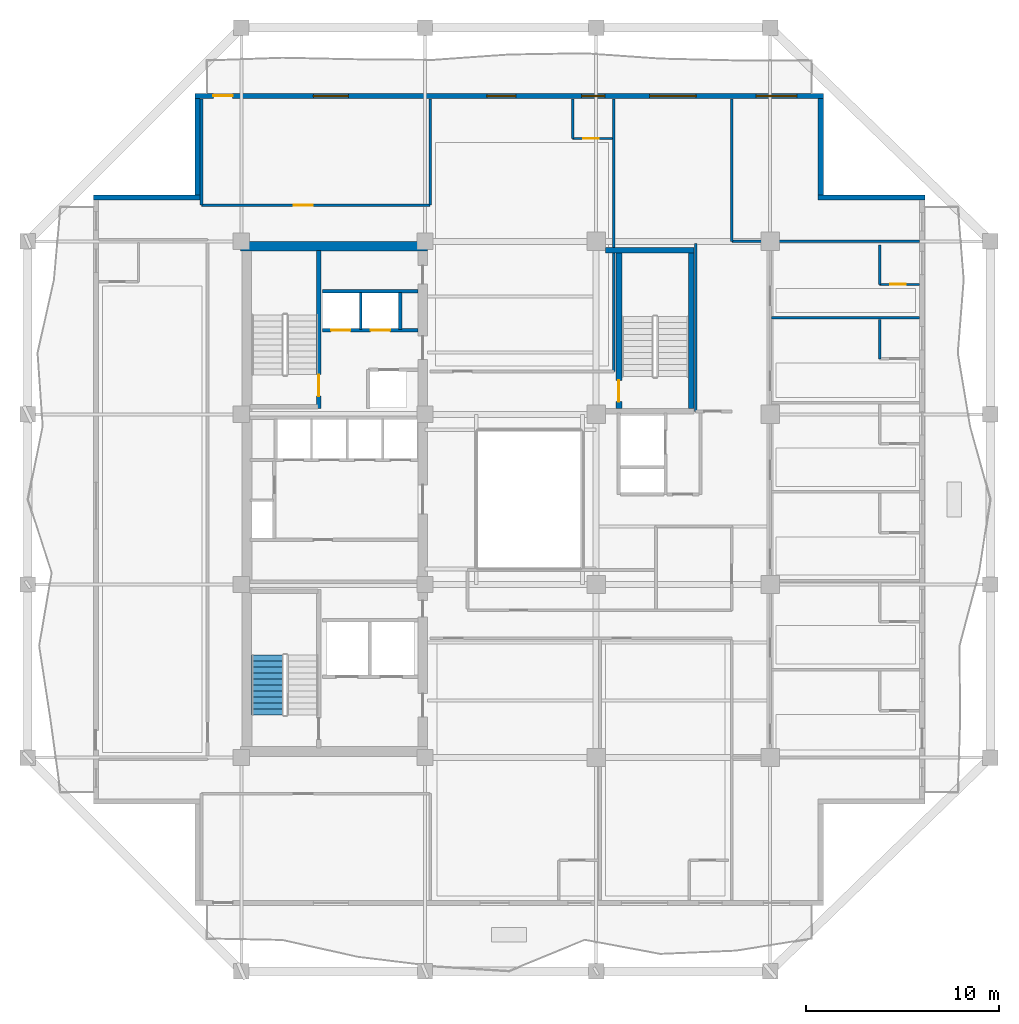
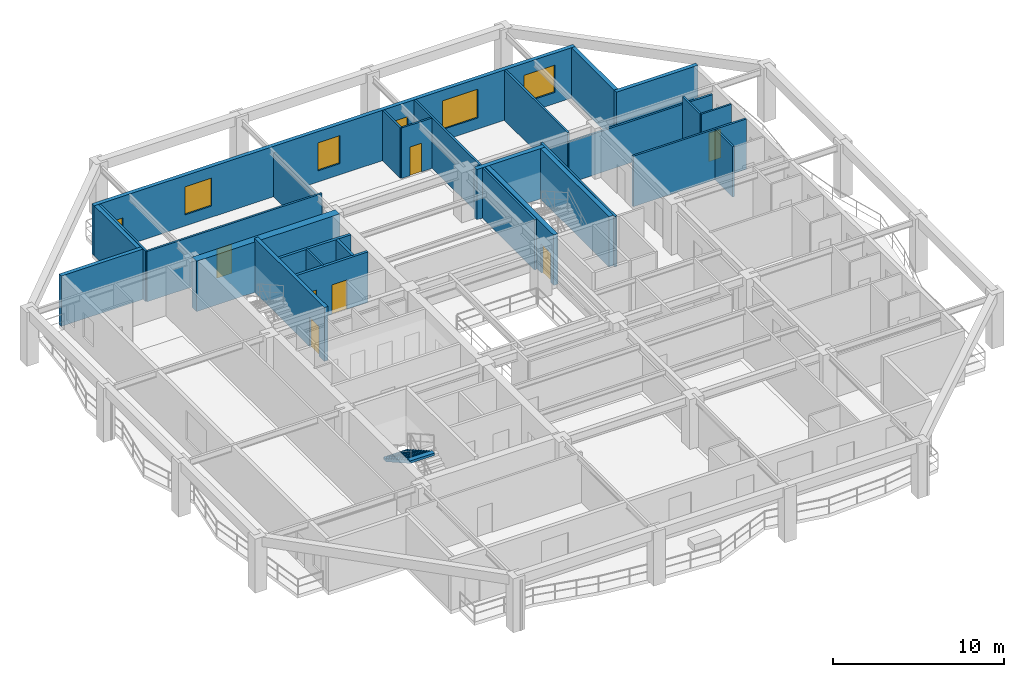
# One storey, part 6 of 13: 27 walls, 8 doors, 5 windows, 1 stair flight, 13 openings, 1 element without a shape of its own.
"""IFC4 building model written with IfcOpenShell, lengths in metres."""

from ifc_helpers import new_model, si_unit, direction, frame, frame_2d, origin, place, context, subcontext, project, spatial, polyline, rectangle, outline, extrude, material, layer, layer_set, type_object, element, fill, aggregate, save


model = new_model("IFC4")

# Units and contexts
model_context = context("Model", 3, precision=1e-05, world=origin(), true_north=direction((0.0, 1.0)))
body_context = subcontext(model_context, "Body", "Model", "MODEL_VIEW")
ifc_project = project(units=[si_unit("LENGTHUNIT", "METRE"), si_unit("AREAUNIT", "SQUARE_METRE"), si_unit("VOLUMEUNIT", "CUBIC_METRE"), si_unit("PLANEANGLEUNIT", "RADIAN"), si_unit("MASSUNIT", "GRAM", prefix="KILO")], contexts=[model_context])

# Site, building, storey
site_placement = place(None, origin())
site = spatial("IfcSite", under=ifc_project, at=site_placement, CompositionType="ELEMENT")
building_placement = place(site_placement, origin())
building = spatial("IfcBuilding", under=site, at=building_placement, Name="Kundavana Baori Tower", CompositionType="ELEMENT")
storey_placement = place(building_placement, frame((0.0, 0.0, 184.85009765625)))
storey = spatial("IfcBuildingStorey", under=building, at=storey_placement, Name="L45", CompositionType="ELEMENT", Elevation=184.85009765625)

# Wall, opening, door
ifc_material_1 = material(Name="Concrete C50/60", Category="concrete")
ifc_layer_1 = layer(ifc_material_1, 0.39990234375, Name="WL-CORE-400")
ifc_layer_set_1 = layer_set([ifc_layer_1], Name="Concrete C50/60")
wall_type_1 = type_object("IfcWallType", Name="WL-CORE-400", PredefinedType="SHEAR", material=ifc_layer_set_1)
wall_1_placement = place(storey_placement, frame((19.4599609375, 33.300048828125, 0.0), z_axis=(0.0, 0.0, 1.0), x_axis=(0.0, 1.0, 0.0)))
wall_1 = element("IfcWall", 1, at=wall_1_placement, inside=storey, type_object=wall_type_1, Name="WL-L45-ST2-E", PredefinedType="SHEAR", context=body_context, shape_type="SweptSolid", body=[
    extrude(rectangle(XDim=8.179931640625, YDim=0.239990234375, at=frame_2d((4.08984375, 0.0))), origin(), (0.0, 0.0, 1.0), 3.849853515625),
])
opening_1_placement = place(wall_1_placement, frame((0.64990234375, 0.0, 0.0)))
opening_1 = element("IfcOpeningElement", 2, at=opening_1_placement, cuts=wall_1, Name="Opening FD-110", PredefinedType="OPENING", context=body_context, shape_type="SweptSolid", body=[
    extrude(rectangle(XDim=1.10009765625, YDim=2.10009765625, at=frame_2d((0.550048828125, 1.050048828125))), frame((0.0, 0.1298828125, 0.0), z_axis=(0.0, -1.0, 0.0), x_axis=(1.0, 0.0, 0.0)), (0.0, 0.0, 1.0), 0.260009765625),
])
ifc_material_2 = material(Name="Galvanised Steel Fire-Rated Door Leaf", Category="steel")
door_type_1 = type_object("IfcDoorType", Name="DR-FD120-1100", OperationType="NOTDEFINED", PredefinedType="DOOR", material=ifc_material_2)
door_1_placement = place(opening_1_placement, origin())
door_1 = element("IfcDoor", 3, at=door_1_placement, inside=storey, type_object=door_type_1, Name="DR-L45-ST2", OperationType="SINGLE_SWING_RIGHT", OverallHeight=2.10009765625, OverallWidth=1.10009765625, PredefinedType="DOOR", context=body_context, shape_type="SweptSolid", body=[
    extrude(rectangle(XDim=1.10009765625, YDim=2.10009765625, at=frame_2d((0.550048828125, 1.050048828125))), frame((0.0, 0.02490234375, 0.0), z_axis=(0.0, -1.0, 0.0), x_axis=(1.0, 0.0, 0.0)), (0.0, 0.0, 1.0), 0.050048828125),
])
fill(opening_1, door_1)

# Walls
ifc_material_3 = material(Name="Concrete C50/60", Category="concrete")
ifc_layer_2 = layer(ifc_material_3, 0.5, Name="WL-CORE-500")
ifc_layer_set_2 = layer_set([ifc_layer_2], Name="Concrete C50/60")
wall_type_2 = type_object("IfcWallType", Name="WL-CORE-500", PredefinedType="SHEAR", material=ifc_layer_set_2)
wall_2_placement = place(storey_placement, frame((15.39990234375, 41.68994140625, 0.0), z_axis=(0.0, 0.0, 1.0), x_axis=(1.0, 0.0, 0.0)))
element("IfcWall", 4, at=wall_2_placement, inside=storey, type_object=wall_type_2, Name="L45 Offset Core North Shear Wall", PredefinedType="SHEAR", context=body_context, shape_type="SweptSolid", body=[
    extrude(rectangle(XDim=9.68017578125, YDim=0.5, at=frame_2d((4.840087890625, 0.0))), origin(), (0.0, 0.0, 1.0), 3.599853515625),
])
ifc_material_4 = material(Name="Kiln-Fired Terracotta Brick-Slip Masonry on Concrete C40/50", Category="masonry")
ifc_layer_3 = layer(ifc_material_4, 0.260009765625, Name="WL-EXT-BRK-260")
ifc_layer_set_3 = layer_set([ifc_layer_3], Name="Kiln-Fired Terracotta Brick-Slip Masonry on Concrete C40/50")
wall_type_3 = type_object("IfcWallType", Name="WL-EXT-BRK-260", PredefinedType="SOLIDWALL", material=ifc_layer_set_3)
wall_3_placement = place(storey_placement, frame((50.800048828125, 44.219970703125, 0.0), z_axis=(0.0, 0.0, 1.0), x_axis=(-1.0, 0.0, 0.0)))
element("IfcWall", 5, at=wall_3_placement, inside=storey, type_object=wall_type_3, Name="L45 Exterior Insulated Facade Wall 05", PredefinedType="SOLIDWALL", context=body_context, shape_type="SweptSolid", body=[
    extrude(rectangle(XDim=5.510009765625, YDim=0.260009765625, at=frame_2d((2.7548828125, 0.0))), origin(), (0.0, 0.0, 1.0), 3.599853515625),
])
wall_4_placement = place(storey_placement, frame((45.419921875, 44.35009765625, 0.0), z_axis=(0.0, 0.0, 1.0), x_axis=(0.0, 1.0, 0.0)))
element("IfcWall", 6, at=wall_4_placement, inside=storey, type_object=wall_type_3, Name="L45 Exterior Insulated Facade Wall 06", PredefinedType="SOLIDWALL", context=body_context, shape_type="SweptSolid", body=[
    extrude(rectangle(XDim=4.989990234375, YDim=0.260009765625, at=frame_2d((2.4951171875, 0.0))), origin(), (0.0, 0.0, 1.0), 3.599853515625),
])

# Wall, openings, door, windows
wall_5_placement = place(storey_placement, frame((45.550048828125, 49.469970703125, 0.0), z_axis=(0.0, 0.0, 1.0), x_axis=(-1.0, 0.0, 0.0)))
wall_5 = element("IfcWall", 7, at=wall_5_placement, inside=storey, type_object=wall_type_3, Name="L45 Exterior Insulated Facade Wall 07", PredefinedType="SOLIDWALL", context=body_context, shape_type="SweptSolid", body=[
    extrude(rectangle(XDim=32.5, YDim=0.260009765625, at=frame_2d((16.25, 0.0))), origin(), (0.0, 0.0, 1.0), 3.599853515625),
])
opening_2_placement = place(wall_5_placement, frame((30.550048828125, 0.0, 0.0)))
opening_2 = element("IfcOpeningElement", 8, at=opening_2_placement, cuts=wall_5, Name="Opening BD-1", PredefinedType="OPENING", context=body_context, shape_type="SweptSolid", body=[
    extrude(rectangle(XDim=1.0, YDim=2.050048828125, at=frame_2d((0.5, 1.02490234375))), frame((0.0, 0.14013671875, 0.0), z_axis=(0.0, -1.0, 0.0), x_axis=(1.0, 0.0, 0.0)), (0.0, 0.0, 1.0), 0.280029296875),
])
opening_3_placement = place(wall_5_placement, frame((24.570068359375, 0.0, 0.800048828125)))
opening_3 = element("IfcOpeningElement", 9, at=opening_3_placement, cuts=wall_5, Name="Opening W-01", PredefinedType="OPENING", context=body_context, shape_type="SweptSolid", body=[
    extrude(rectangle(XDim=1.800048828125, YDim=2.0, at=frame_2d((0.89990234375, 1.0))), frame((0.0, 0.14013671875, 0.0), z_axis=(0.0, -1.0, 0.0), x_axis=(1.0, 0.0, 0.0)), (0.0, 0.0, 1.0), 0.280029296875),
])
opening_4_placement = place(wall_5_placement, frame((15.89501953125, 0.0, 0.800048828125)))
opening_4 = element("IfcOpeningElement", 10, at=opening_4_placement, cuts=wall_5, Name="Opening W-02", PredefinedType="OPENING", context=body_context, shape_type="SweptSolid", body=[
    extrude(rectangle(XDim=1.5, YDim=2.0, at=frame_2d((0.75, 1.0))), frame((0.0, 0.14013671875, 0.0), z_axis=(0.0, -1.0, 0.0), x_axis=(1.0, 0.0, 0.0)), (0.0, 0.0, 1.0), 0.280029296875),
])
opening_5_placement = place(wall_5_placement, frame((11.294921875, 0.0, 0.800048828125)))
opening_5 = element("IfcOpeningElement", 11, at=opening_5_placement, cuts=wall_5, Name="Opening W-03", PredefinedType="OPENING", context=body_context, shape_type="SweptSolid", body=[
    extrude(rectangle(XDim=1.199951171875, YDim=1.75, at=frame_2d((0.60009765625, 0.875))), frame((0.0, 0.14013671875, 0.0), z_axis=(0.0, -1.0, 0.0), x_axis=(1.0, 0.0, 0.0)), (0.0, 0.0, 1.0), 0.280029296875),
])
opening_6_placement = place(wall_5_placement, frame((6.580078125, 0.0, 0.800048828125)))
opening_6 = element("IfcOpeningElement", 12, at=opening_6_placement, cuts=wall_5, Name="Opening W-04", PredefinedType="OPENING", context=body_context, shape_type="SweptSolid", body=[
    extrude(rectangle(XDim=2.39990234375, YDim=2.050048828125, at=frame_2d((1.199951171875, 1.02490234375))), frame((0.0, 0.14013671875, 0.0), z_axis=(0.0, -1.0, 0.0), x_axis=(1.0, 0.0, 0.0)), (0.0, 0.0, 1.0), 0.280029296875),
])
opening_7_placement = place(wall_5_placement, frame((1.3701171875, 0.0, 0.800048828125)))
opening_7 = element("IfcOpeningElement", 13, at=opening_7_placement, cuts=wall_5, Name="Opening W-05", PredefinedType="OPENING", context=body_context, shape_type="SweptSolid", body=[
    extrude(rectangle(XDim=2.10009765625, YDim=1.949951171875, at=frame_2d((1.050048828125, 0.97509765625))), frame((0.0, 0.14013671875, 0.0), z_axis=(0.0, -1.0, 0.0), x_axis=(1.0, 0.0, 0.0)), (0.0, 0.0, 1.0), 0.280029296875),
])
ifc_material_5 = material(Name="Architectural Patinated Bronze Metalwork")
door_type_2 = type_object("IfcDoorType", Name="DR-EXT-LOG-1000", OperationType="NOTDEFINED", PredefinedType="DOOR", material=ifc_material_5)
door_2_placement = place(opening_2_placement, frame((1.0, 0.0, 0.0), z_axis=(0.0, 0.0, 1.0), x_axis=(-1.0, 0.0, 0.0)))
door_2 = element("IfcDoor", 14, at=door_2_placement, inside=storey, type_object=door_type_2, Name="L45 Loggia Balcony Access Door N", OperationType="SINGLE_SWING_LEFT", OverallHeight=2.050048828125, OverallWidth=1.0, PredefinedType="DOOR", context=body_context, shape_type="SweptSolid", body=[
    extrude(rectangle(XDim=1.0, YDim=2.050048828125, at=frame_2d((0.5, 1.02490234375))), frame((0.0, 0.02490234375, 0.0), z_axis=(0.0, -1.0, 0.0), x_axis=(1.0, 0.0, 0.0)), (0.0, 0.0, 1.0), 0.050048828125),
])
fill(opening_2, door_2)
ifc_material_6 = material(Name="Double-Glazed Solar-Control Low-E Insulated Glass", Category="glass")
window_type_1 = type_object("IfcWindowType", Name="WIN-LOG-1200x1750", PartitioningType="SINGLE_PANEL", PredefinedType="WINDOW", material=ifc_material_6)
window_1_placement = place(opening_5_placement, origin())
window_1 = element("IfcWindow", 15, at=window_1_placement, inside=storey, type_object=window_type_1, Name="L45 Recessed Loggia Window N-3", OverallHeight=1.75, OverallWidth=1.199951171875, PartitioningType="SINGLE_PANEL", PredefinedType="WINDOW", context=body_context, shape_type="SweptSolid", body=[
    extrude(rectangle(XDim=1.199951171875, YDim=1.75, at=frame_2d((0.60009765625, 0.875))), frame((0.0, 0.030029296875, 0.0), z_axis=(0.0, -1.0, 0.0), x_axis=(1.0, 0.0, 0.0)), (0.0, 0.0, 1.0), 0.06005859375),
])
fill(opening_5, window_1)
ifc_material_7 = material(Name="Double-Glazed Solar-Control Low-E Insulated Glass", Category="glass")
window_type_2 = type_object("IfcWindowType", Name="WIN-LOG-1500x2000", PartitioningType="SINGLE_PANEL", PredefinedType="WINDOW", material=ifc_material_7)
window_2_placement = place(opening_4_placement, origin())
window_2 = element("IfcWindow", 16, at=window_2_placement, inside=storey, type_object=window_type_2, Name="L45 Recessed Loggia Window N-2", OverallHeight=2.0, OverallWidth=1.5, PartitioningType="SINGLE_PANEL", PredefinedType="WINDOW", context=body_context, shape_type="SweptSolid", body=[
    extrude(rectangle(XDim=1.5, YDim=2.0, at=frame_2d((0.75, 1.0))), frame((0.0, 0.030029296875, 0.0), z_axis=(0.0, -1.0, 0.0), x_axis=(1.0, 0.0, 0.0)), (0.0, 0.0, 1.0), 0.06005859375),
])
fill(opening_4, window_2)
ifc_material_8 = material(Name="Double-Glazed Solar-Control Low-E Insulated Glass", Category="glass")
window_type_3 = type_object("IfcWindowType", Name="WIN-LOG-1800x2000", PartitioningType="SINGLE_PANEL", PredefinedType="WINDOW", material=ifc_material_8)
window_3_placement = place(opening_3_placement, origin())
window_3 = element("IfcWindow", 17, at=window_3_placement, inside=storey, type_object=window_type_3, Name="L45 Recessed Loggia Window N-1", OverallHeight=2.0, OverallWidth=1.800048828125, PartitioningType="SINGLE_PANEL", PredefinedType="WINDOW", context=body_context, shape_type="SweptSolid", body=[
    extrude(rectangle(XDim=1.800048828125, YDim=2.0, at=frame_2d((0.89990234375, 1.0))), frame((0.0, 0.030029296875, 0.0), z_axis=(0.0, -1.0, 0.0), x_axis=(1.0, 0.0, 0.0)), (0.0, 0.0, 1.0), 0.06005859375),
])
fill(opening_3, window_3)
ifc_material_9 = material(Name="Double-Glazed Solar-Control Low-E Insulated Glass", Category="glass")
window_type_4 = type_object("IfcWindowType", Name="WIN-LOG-2100x1950", PartitioningType="SINGLE_PANEL", PredefinedType="WINDOW", material=ifc_material_9)
window_4_placement = place(opening_7_placement, origin())
window_4 = element("IfcWindow", 18, at=window_4_placement, inside=storey, type_object=window_type_4, Name="L45 Recessed Loggia Window N-5", OverallHeight=1.949951171875, OverallWidth=2.10009765625, PartitioningType="SINGLE_PANEL", PredefinedType="WINDOW", context=body_context, shape_type="SweptSolid", body=[
    extrude(rectangle(XDim=2.10009765625, YDim=1.949951171875, at=frame_2d((1.050048828125, 0.97509765625))), frame((0.0, 0.030029296875, 0.0), z_axis=(0.0, -1.0, 0.0), x_axis=(1.0, 0.0, 0.0)), (0.0, 0.0, 1.0), 0.06005859375),
])
fill(opening_7, window_4)
ifc_material_10 = material(Name="Double-Glazed Solar-Control Low-E Insulated Glass", Category="glass")
window_type_5 = type_object("IfcWindowType", Name="WIN-LOG-2400x2050", PartitioningType="SINGLE_PANEL", PredefinedType="WINDOW", material=ifc_material_10)
window_5_placement = place(opening_6_placement, origin())
window_5 = element("IfcWindow", 19, at=window_5_placement, inside=storey, type_object=window_type_5, Name="L45 Recessed Loggia Window N-4", OverallHeight=2.050048828125, OverallWidth=2.39990234375, PartitioningType="SINGLE_PANEL", PredefinedType="WINDOW", context=body_context, shape_type="SweptSolid", body=[
    extrude(rectangle(XDim=2.39990234375, YDim=2.050048828125, at=frame_2d((1.199951171875, 1.02490234375))), frame((0.0, 0.030029296875, 0.0), z_axis=(0.0, -1.0, 0.0), x_axis=(1.0, 0.0, 0.0)), (0.0, 0.0, 1.0), 0.06005859375),
])
fill(opening_6, window_5)

# Walls
wall_6_placement = place(storey_placement, frame((13.179931640625, 49.340087890625, 0.0), z_axis=(0.0, 0.0, 1.0), x_axis=(0.0, -1.0, 0.0)))
element("IfcWall", 20, at=wall_6_placement, inside=storey, type_object=wall_type_3, Name="L45 Exterior Insulated Facade Wall 08", PredefinedType="SOLIDWALL", context=body_context, shape_type="SweptSolid", body=[
    extrude(rectangle(XDim=4.989990234375, YDim=0.260009765625, at=frame_2d((2.4951171875, 0.0))), origin(), (0.0, 0.0, 1.0), 3.599853515625),
])
wall_7_placement = place(storey_placement, frame((13.31005859375, 44.219970703125, 0.0), z_axis=(0.0, 0.0, 1.0), x_axis=(-1.0, 0.0, 0.0)))
element("IfcWall", 21, at=wall_7_placement, inside=storey, type_object=wall_type_3, Name="L45 Exterior Insulated Facade Wall 09", PredefinedType="SOLIDWALL", context=body_context, shape_type="SweptSolid", body=[
    extrude(rectangle(XDim=5.510009765625, YDim=0.260009765625, at=frame_2d((2.7548828125, 0.0))), origin(), (0.0, 0.0, 1.0), 3.599853515625),
])
ifc_material_11 = material(Name="Acoustic Gypsum Plasterboard on Galvanised Steel Studs", Category="steel")
ifc_layer_4 = layer(ifc_material_11, 0.1201171875, Name="WL-PART-120")
ifc_layer_set_4 = layer_set([ifc_layer_4], Name="Acoustic Gypsum Plasterboard on Galvanised Steel Studs")
wall_type_4 = type_object("IfcWallType", Name="WL-PART-120", PredefinedType="PARTITIONING", material=ifc_layer_set_4)
wall_8_placement = place(storey_placement, frame((21.6201171875, 37.39990234375, 0.0), z_axis=(0.0, 0.0, 1.0), x_axis=(0.0, 1.0, 0.0)))
element("IfcWall", 22, at=wall_8_placement, inside=storey, type_object=wall_type_4, Name="WL-L45-HR-DIV1", PredefinedType="PARTITIONING", context=body_context, shape_type="SweptSolid", body=[
    extrude(rectangle(XDim=1.900146484375, YDim=0.1201171875, at=frame_2d((0.9501953125, 0.0))), origin(), (0.0, 0.0, 1.0), 3.599853515625),
])
ifc_material_12 = material(Name="Acoustic Gypsum Plasterboard on Galvanised Steel Studs", Category="steel")
ifc_layer_5 = layer(ifc_material_12, 0.135009765625, Name="WL-PART-135")
ifc_layer_set_5 = layer_set([ifc_layer_5], Name="Acoustic Gypsum Plasterboard on Galvanised Steel Studs")
wall_type_5 = type_object("IfcWallType", Name="WL-PART-135", PredefinedType="PARTITIONING", material=ifc_layer_set_5)
wall_9_placement = place(storey_placement, frame((40.820068359375, 41.949951171875, 0.0), z_axis=(0.0, 0.0, 1.0), x_axis=(1.0, 0.0, 0.0)))
element("IfcWall", 23, at=wall_9_placement, inside=storey, type_object=wall_type_5, Name="WL-L45-HEN", PredefinedType="PARTITIONING", context=body_context, shape_type="SweptSolid", body=[
    extrude(rectangle(XDim=9.699951171875, YDim=0.135009765625, at=frame_2d((4.85009765625, 0.0))), origin(), (0.0, 0.0, 1.0), 2.949951171875),
])

# Wall, opening, door
wall_10_placement = place(storey_placement, frame((13.389892578125, 43.820068359375, 0.0), z_axis=(0.0, 0.0, 1.0), x_axis=(1.0, 0.0, 0.0)))
wall_10 = element("IfcWall", 24, at=wall_10_placement, inside=storey, type_object=wall_type_5, Name="WL-L45-HNC", PredefinedType="PARTITIONING", context=body_context, shape_type="SweptSolid", body=[
    extrude(rectangle(XDim=11.830078125, YDim=0.135009765625, at=frame_2d((5.9150390625, 0.0))), origin(), (0.0, 0.0, 1.0), 3.599853515625),
])
opening_8_placement = place(wall_10_placement, frame((4.760009765625, 0.0, 0.0)))
opening_8 = element("IfcOpeningElement", 25, at=opening_8_placement, cuts=wall_10, Name="Opening ID-100", PredefinedType="OPENING", context=body_context, shape_type="SweptSolid", body=[
    extrude(rectangle(XDim=1.0, YDim=2.080078125, at=frame_2d((0.5, 1.0400390625))), frame((0.0, 0.07763671875, 0.0), z_axis=(0.0, -1.0, 0.0), x_axis=(1.0, 0.0, 0.0)), (0.0, 0.0, 1.0), 0.155029296875),
])
ifc_material_13 = material(Name="Engineered Teak Solid-Core Timber Veneer", Category="wood")
door_type_3 = type_object("IfcDoorType", Name="DR-INT-1000", OperationType="NOTDEFINED", PredefinedType="DOOR", material=ifc_material_13)
door_3_placement = place(opening_8_placement, origin())
door_3 = element("IfcDoor", 26, at=door_3_placement, inside=storey, type_object=door_type_3, Name="DR-L45-HMNW", OperationType="SINGLE_SWING_RIGHT", OverallHeight=2.080078125, OverallWidth=1.0, PredefinedType="DOOR", context=body_context, shape_type="SweptSolid", body=[
    extrude(rectangle(XDim=1.0, YDim=2.080078125, at=frame_2d((0.5, 1.0400390625))), frame((0.0, 0.02490234375, 0.0), z_axis=(0.0, -1.0, 0.0), x_axis=(1.0, 0.0, 0.0)), (0.0, 0.0, 1.0), 0.050048828125),
])
fill(opening_8, door_3)

# Walls
wall_11_placement = place(storey_placement, frame((13.389892578125, 43.820068359375, 0.0), z_axis=(0.0, 0.0, 1.0), x_axis=(0.0, 1.0, 0.0)))
element("IfcWall", 27, at=wall_11_placement, inside=storey, type_object=wall_type_5, Name="WL-L45-HNCW", PredefinedType="PARTITIONING", context=body_context, shape_type="SweptSolid", body=[
    extrude(rectangle(XDim=5.5, YDim=0.135009765625, at=frame_2d((2.75, 0.0))), origin(), (0.0, 0.0, 1.0), 3.599853515625),
])
wall_12_placement = place(storey_placement, frame((25.219970703125, 43.820068359375, 0.0), z_axis=(0.0, 0.0, 1.0), x_axis=(0.0, 1.0, 0.0)))
element("IfcWall", 28, at=wall_12_placement, inside=storey, type_object=wall_type_5, Name="WL-L45-HNCE", PredefinedType="PARTITIONING", context=body_context, shape_type="SweptSolid", body=[
    extrude(rectangle(XDim=5.5, YDim=0.135009765625, at=frame_2d((2.75, 0.0))), origin(), (0.0, 0.0, 1.0), 3.14990234375),
])
wall_13_placement = place(storey_placement, frame((42.8798828125, 38.0, 0.0), z_axis=(0.0, 0.0, 1.0), x_axis=(1.0, 0.0, 0.0)))
element("IfcWall", 29, at=wall_13_placement, inside=storey, type_object=wall_type_5, Name="WL-L45-HED5", PredefinedType="PARTITIONING", context=body_context, shape_type="SweptSolid", body=[
    extrude(rectangle(XDim=7.64013671875, YDim=0.135009765625, at=frame_2d((3.820068359375, 0.0))), origin(), (0.0, 0.0, 1.0), 3.599853515625),
])
wall_14_placement = place(storey_placement, frame((34.719970703125, 35.219970703125, 0.0), z_axis=(0.0, 0.0, 1.0), x_axis=(0.0, 1.0, 0.0)))
element("IfcWall", 30, at=wall_14_placement, inside=storey, type_object=wall_type_5, Name="WL-L45-HNEND", PredefinedType="PARTITIONING", context=body_context, shape_type="SweptSolid", body=[
    extrude(rectangle(XDim=14.10009765625, YDim=0.135009765625, at=frame_2d((7.050048828125, 0.0))), origin(), (0.0, 0.0, 1.0), 3.599853515625),
])
wall_15_placement = place(storey_placement, frame((38.949951171875, 33.14990234375, 0.0), z_axis=(0.0, 0.0, 1.0), x_axis=(0.0, 1.0, 0.0)))
element("IfcWall", 31, at=wall_15_placement, inside=storey, type_object=wall_type_5, Name="WL-L45-HNEW", PredefinedType="PARTITIONING", context=body_context, shape_type="SweptSolid", body=[
    extrude(rectangle(XDim=8.7001953125, YDim=0.135009765625, at=frame_2d((4.35009765625, 0.0))), origin(), (0.0, 0.0, 1.0), 3.599853515625),
])
wall_16_placement = place(storey_placement, frame((40.820068359375, 41.949951171875, 0.0), z_axis=(0.0, 0.0, 1.0), x_axis=(0.0, 1.0, 0.0)))
element("IfcWall", 32, at=wall_16_placement, inside=storey, type_object=wall_type_5, Name="WL-L45-HNEE", PredefinedType="PARTITIONING", context=body_context, shape_type="SweptSolid", body=[
    extrude(rectangle(XDim=7.3701171875, YDim=0.135009765625, at=frame_2d((3.68505859375, 0.0))), origin(), (0.0, 0.0, 1.0), 3.599853515625),
])

# Wall, openings, doors
ifc_material_14 = material(Name="Autoclaved Aerated Concrete Blockwork Masonry", Category="masonry")
ifc_layer_6 = layer(ifc_material_14, 0.179931640625, Name="WL-SHAFT-180")
ifc_layer_set_6 = layer_set([ifc_layer_6], Name="Autoclaved Aerated Concrete Blockwork Masonry")
wall_type_6 = type_object("IfcWallType", Name="WL-SHAFT-180", PredefinedType="SOLIDWALL", material=ifc_layer_set_6)
wall_17_placement = place(storey_placement, frame((19.639892578125, 37.340087890625, 0.0), z_axis=(0.0, 0.0, 1.0), x_axis=(1.0, 0.0, 0.0)))
wall_17 = element("IfcWall", 33, at=wall_17_placement, inside=storey, type_object=wall_type_6, Name="WL-L45-HRLOB-N", PredefinedType="SOLIDWALL", context=body_context, shape_type="SweptSolid", body=[
    extrude(rectangle(XDim=4.940185546875, YDim=0.179931640625, at=frame_2d((2.47021484375, 0.0))), origin(), (0.0, 0.0, 1.0), 3.599853515625),
])
opening_9_placement = place(wall_17_placement, frame((0.449951171875, 0.0, 0.0)))
opening_9 = element("IfcOpeningElement", 34, at=opening_9_placement, cuts=wall_17, Name="Opening LD-100", PredefinedType="OPENING", context=body_context, shape_type="SweptSolid", body=[
    extrude(rectangle(XDim=1.0, YDim=2.10009765625, at=frame_2d((0.5, 1.050048828125))), frame((0.0, 0.10009765625, 0.0), z_axis=(0.0, -1.0, 0.0), x_axis=(1.0, 0.0, 0.0)), (0.0, 0.0, 1.0), 0.199951171875),
])
opening_10_placement = place(wall_17_placement, frame((2.5, 0.0, 0.0)))
opening_10 = element("IfcOpeningElement", 35, at=opening_10_placement, cuts=wall_17, Name="Opening LD-100", PredefinedType="OPENING", context=body_context, shape_type="SweptSolid", body=[
    extrude(rectangle(XDim=1.0, YDim=2.10009765625, at=frame_2d((0.5, 1.050048828125))), frame((0.0, 0.10009765625, 0.0), z_axis=(0.0, -1.0, 0.0), x_axis=(1.0, 0.0, 0.0)), (0.0, 0.0, 1.0), 0.199951171875),
])
ifc_material_15 = material(Name="Galvanised Steel Fire-Rated Door Leaf", Category="steel")
door_type_4 = type_object("IfcDoorType", Name="DR-SLIDE-LD1000", OperationType="NOTDEFINED", PredefinedType="DOOR", material=ifc_material_15)
door_4_placement = place(opening_9_placement, frame((1.0, 0.0, 0.0), z_axis=(0.0, 0.0, 1.0), x_axis=(-1.0, 0.0, 0.0)))
door_4 = element("IfcDoor", 36, at=door_4_placement, inside=storey, type_object=door_type_4, Name="DR-L45-LD-LP09", OperationType="DOUBLE_DOOR_SLIDING", OverallHeight=2.10009765625, OverallWidth=1.0, PredefinedType="DOOR", context=body_context, shape_type="SweptSolid", body=[
    extrude(rectangle(XDim=1.0, YDim=2.10009765625, at=frame_2d((0.5, 1.050048828125))), frame((0.0, 0.02490234375, 0.0), z_axis=(0.0, -1.0, 0.0), x_axis=(1.0, 0.0, 0.0)), (0.0, 0.0, 1.0), 0.050048828125),
])
fill(opening_9, door_4)
door_5_placement = place(opening_10_placement, frame((1.0, 0.0, 0.0), z_axis=(0.0, 0.0, 1.0), x_axis=(-1.0, 0.0, 0.0)))
door_5 = element("IfcDoor", 37, at=door_5_placement, inside=storey, type_object=door_type_4, Name="DR-L45-LD-LP10", OperationType="DOUBLE_DOOR_SLIDING", OverallHeight=2.10009765625, OverallWidth=1.0, PredefinedType="DOOR", context=body_context, shape_type="SweptSolid", body=[
    extrude(rectangle(XDim=1.0, YDim=2.10009765625, at=frame_2d((0.5, 1.050048828125))), frame((0.0, 0.02490234375, 0.0), z_axis=(0.0, -1.0, 0.0), x_axis=(1.0, 0.0, 0.0)), (0.0, 0.0, 1.0), 0.050048828125),
])
fill(opening_10, door_5)

# Walls
wall_18_placement = place(storey_placement, frame((19.639892578125, 39.360107421875, 0.0), z_axis=(0.0, 0.0, 1.0), x_axis=(1.0, 0.0, 0.0)))
element("IfcWall", 38, at=wall_18_placement, inside=storey, type_object=wall_type_6, Name="WL-L45-HRLOB-TOP", PredefinedType="SOLIDWALL", context=body_context, shape_type="SweptSolid", body=[
    extrude(rectangle(XDim=4.940185546875, YDim=0.179931640625, at=frame_2d((2.47021484375, 0.0))), origin(), (0.0, 0.0, 1.0), 3.599853515625),
])
wall_19_placement = place(storey_placement, frame((23.659912109375, 37.39990234375, 0.0), z_axis=(0.0, 0.0, 1.0), x_axis=(0.0, 1.0, 0.0)))
element("IfcWall", 39, at=wall_19_placement, inside=storey, type_object=wall_type_6, Name="WL-L45-HR-DIV2", PredefinedType="SOLIDWALL", context=body_context, shape_type="SweptSolid", body=[
    extrude(rectangle(XDim=1.900146484375, YDim=0.179931640625, at=frame_2d((0.9501953125, 0.0))), origin(), (0.0, 0.0, 1.0), 3.599853515625),
])
ifc_material_16 = material(Name="Concrete C50/60", Category="concrete")
ifc_layer_7 = layer(ifc_material_16, 0.300048828125, Name="WL-ST3-300")
ifc_layer_set_7 = layer_set([ifc_layer_7], Name="Concrete C50/60")
wall_type_7 = type_object("IfcWallType", Name="WL-ST3-300", PredefinedType="SHEAR", material=ifc_layer_set_7)
wall_20_placement = place(storey_placement, frame((34.27490234375, 41.489990234375, 0.0), z_axis=(0.0, 0.0, 1.0), x_axis=(1.0, 0.0, 0.0)))
element("IfcWall", 40, at=wall_20_placement, inside=storey, type_object=wall_type_7, Name="L45 Stair ST3 North Shear Wall", PredefinedType="SHEAR", context=body_context, shape_type="SweptSolid", body=[
    extrude(rectangle(XDim=4.59521484375, YDim=0.300048828125, at=frame_2d((2.297607421875, 0.0))), origin(), (0.0, 0.0, 1.0), 3.599853515625),
])

# Wall, opening, door
wall_21_placement = place(storey_placement, frame((34.97998046875, 33.31005859375, 0.0), z_axis=(0.0, 0.0, 1.0), x_axis=(0.0, 1.0, 0.0)))
wall_21 = element("IfcWall", 41, at=wall_21_placement, inside=storey, type_object=wall_type_7, Name="L45 Stair ST3 West Shear Wall", PredefinedType="SHEAR", context=body_context, shape_type="SweptSolid", body=[
    extrude(rectangle(XDim=8.030029296875, YDim=0.300048828125, at=frame_2d((4.01513671875, 0.0))), origin(), (0.0, 0.0, 1.0), 3.599853515625),
])
opening_11_placement = place(wall_21_placement, frame((0.35009765625, 0.0, 0.0)))
opening_11 = element("IfcOpeningElement", 42, at=opening_11_placement, cuts=wall_21, Name="Opening FD-110", PredefinedType="OPENING", context=body_context, shape_type="SweptSolid", body=[
    extrude(rectangle(XDim=1.10009765625, YDim=2.10009765625, at=frame_2d((0.550048828125, 1.050048828125))), frame((0.0, 0.16015625, 0.0), z_axis=(0.0, -1.0, 0.0), x_axis=(1.0, 0.0, 0.0)), (0.0, 0.0, 1.0), 0.320068359375),
])
door_6_placement = place(opening_11_placement, origin())
door_6 = element("IfcDoor", 43, at=door_6_placement, inside=storey, type_object=door_type_1, Name="DR-L45-ST3-W", OperationType="SINGLE_SWING_LEFT", OverallHeight=2.10009765625, OverallWidth=1.10009765625, PredefinedType="DOOR", context=body_context, shape_type="SweptSolid", body=[
    extrude(rectangle(XDim=1.10009765625, YDim=2.10009765625, at=frame_2d((0.550048828125, 1.050048828125))), frame((0.0, 0.02490234375, 0.0), z_axis=(0.0, -1.0, 0.0), x_axis=(1.0, 0.0, 0.0)), (0.0, 0.0, 1.0), 0.050048828125),
])
fill(opening_11, door_6)

# Walls
wall_22_placement = place(storey_placement, frame((38.719970703125, 33.31005859375, 0.0), z_axis=(0.0, 0.0, 1.0), x_axis=(0.0, 1.0, 0.0)))
element("IfcWall", 44, at=wall_22_placement, inside=storey, type_object=wall_type_7, Name="L45 Stair ST3 East Shear Wall", PredefinedType="SHEAR", context=body_context, shape_type="SweptSolid", body=[
    extrude(rectangle(XDim=8.030029296875, YDim=0.300048828125, at=frame_2d((4.01513671875, 0.0))), origin(), (0.0, 0.0, 1.0), 3.599853515625),
])
ifc_material_17 = material(Name="Autoclaved Aerated Concrete Blockwork Masonry", Category="masonry")
ifc_layer_8 = layer(ifc_material_17, 0.125, Name="WL-WET-120")
ifc_layer_set_8 = layer_set([ifc_layer_8], Name="Autoclaved Aerated Concrete Blockwork Masonry")
wall_type_8 = type_object("IfcWallType", Name="WL-WET-120", PredefinedType="PLUMBINGWALL", material=ifc_layer_set_8)
wall_23_placement = place(storey_placement, frame((48.469970703125, 35.8701171875, 0.0), z_axis=(0.0, 0.0, 1.0), x_axis=(0.0, 1.0, 0.0)))
element("IfcWall", 45, at=wall_23_placement, inside=storey, type_object=wall_type_8, Name="WL-L45-HK-E5-BW", PredefinedType="PLUMBINGWALL", context=body_context, shape_type="SweptSolid", body=[
    extrude(rectangle(XDim=2.0498046875, YDim=0.125, at=frame_2d((1.02490234375, 0.0))), origin(), (0.0, 0.0, 1.0), 3.599853515625),
])
wall_24_placement = place(storey_placement, frame((48.469970703125, 39.719970703125, 0.0), z_axis=(0.0, 0.0, 1.0), x_axis=(0.0, 1.0, 0.0)))
element("IfcWall", 46, at=wall_24_placement, inside=storey, type_object=wall_type_8, Name="WL-L45-HK-E6-BW", PredefinedType="PLUMBINGWALL", context=body_context, shape_type="SweptSolid", body=[
    extrude(rectangle(XDim=2.050048828125, YDim=0.125, at=frame_2d((1.02490234375, 0.0))), origin(), (0.0, 0.0, 1.0), 3.599853515625),
])

# Wall, opening, door
wall_25_placement = place(storey_placement, frame((48.469970703125, 39.719970703125, 0.0), z_axis=(0.0, 0.0, 1.0), x_axis=(1.0, 0.0, 0.0)))
wall_25 = element("IfcWall", 47, at=wall_25_placement, inside=storey, type_object=wall_type_8, Name="WL-L45-HK-E6-BS", PredefinedType="PLUMBINGWALL", context=body_context, shape_type="SweptSolid", body=[
    extrude(rectangle(XDim=2.050048828125, YDim=0.125, at=frame_2d((1.02490234375, 0.0))), origin(), (0.0, 0.0, 1.0), 3.599853515625),
])
opening_12_placement = place(wall_25_placement, frame((0.550048828125, 0.0, 0.0)))
opening_12 = element("IfcOpeningElement", 48, at=opening_12_placement, cuts=wall_25, Name="Opening WD-080", PredefinedType="OPENING", context=body_context, shape_type="SweptSolid", body=[
    extrude(rectangle(XDim=0.800048828125, YDim=2.050048828125, at=frame_2d((0.39990234375, 1.02490234375))), frame((0.0, 0.072509765625, 0.0), z_axis=(0.0, -1.0, 0.0), x_axis=(1.0, 0.0, 0.0)), (0.0, 0.0, 1.0), 0.14501953125),
])
ifc_material_18 = material(Name="Engineered Teak Solid-Core Timber Veneer", Category="wood")
door_type_5 = type_object("IfcDoorType", Name="DR-WET-800", OperationType="NOTDEFINED", PredefinedType="DOOR", material=ifc_material_18)
door_7_placement = place(opening_12_placement, frame((0.800048828125, 0.0, 0.0), z_axis=(0.0, 0.0, 1.0), x_axis=(-1.0, 0.0, 0.0)))
door_7 = element("IfcDoor", 49, at=door_7_placement, inside=storey, type_object=door_type_5, Name="DR-L45-HK-E6-ENS", OperationType="SINGLE_SWING_LEFT", OverallHeight=2.050048828125, OverallWidth=0.800048828125, PredefinedType="DOOR", context=body_context, shape_type="SweptSolid", body=[
    extrude(rectangle(XDim=0.800048828125, YDim=2.050048828125, at=frame_2d((0.39990234375, 1.02490234375))), frame((0.0, 0.02490234375, 0.0), z_axis=(0.0, -1.0, 0.0), x_axis=(1.0, 0.0, 0.0)), (0.0, 0.0, 1.0), 0.050048828125),
])
fill(opening_12, door_7)

# Wall
wall_26_placement = place(storey_placement, frame((32.590087890625, 47.27001953125, 0.0), z_axis=(0.0, 0.0, 1.0), x_axis=(0.0, 1.0, 0.0)))
element("IfcWall", 50, at=wall_26_placement, inside=storey, type_object=wall_type_8, Name="WL-L45-HK-N1-BW", PredefinedType="PLUMBINGWALL", context=body_context, shape_type="SweptSolid", body=[
    extrude(rectangle(XDim=2.050048828125, YDim=0.125, at=frame_2d((1.02490234375, 0.0))), origin(), (0.0, 0.0, 1.0), 3.599853515625),
])

# Wall, opening, door
wall_27_placement = place(storey_placement, frame((32.590087890625, 47.27001953125, 0.0), z_axis=(0.0, 0.0, 1.0), x_axis=(1.0, 0.0, 0.0)))
wall_27 = element("IfcWall", 51, at=wall_27_placement, inside=storey, type_object=wall_type_8, Name="WL-L45-HK-N1-BS", PredefinedType="PLUMBINGWALL", context=body_context, shape_type="SweptSolid", body=[
    extrude(rectangle(XDim=2.0498046875, YDim=0.125, at=frame_2d((1.02490234375, 0.0))), origin(), (0.0, 0.0, 1.0), 3.599853515625),
])
opening_13_placement = place(wall_27_placement, frame((0.550048828125, 0.0, 0.0)))
opening_13 = element("IfcOpeningElement", 52, at=opening_13_placement, cuts=wall_27, Name="Opening WD-080", PredefinedType="OPENING", context=body_context, shape_type="SweptSolid", body=[
    extrude(rectangle(XDim=0.800048828125, YDim=2.050048828125, at=frame_2d((0.39990234375, 1.02490234375))), frame((0.0, 0.072509765625, 0.0), z_axis=(0.0, -1.0, 0.0), x_axis=(1.0, 0.0, 0.0)), (0.0, 0.0, 1.0), 0.14501953125),
])
door_8_placement = place(opening_13_placement, frame((0.800048828125, 0.0, 0.0), z_axis=(0.0, 0.0, 1.0), x_axis=(-1.0, 0.0, 0.0)))
door_8 = element("IfcDoor", 53, at=door_8_placement, inside=storey, type_object=door_type_5, Name="DR-L45-HK-N1-ENS", OperationType="SINGLE_SWING_LEFT", OverallHeight=2.050048828125, OverallWidth=0.800048828125, PredefinedType="DOOR", context=body_context, shape_type="SweptSolid", body=[
    extrude(rectangle(XDim=0.800048828125, YDim=2.050048828125, at=frame_2d((0.39990234375, 1.02490234375))), frame((0.0, 0.02490234375, 0.0), z_axis=(0.0, -1.0, 0.0), x_axis=(1.0, 0.0, 0.0)), (0.0, 0.0, 1.0), 0.050048828125),
])
fill(opening_13, door_8)

# Stair, stair flight
ifc_material_19 = material(Name="Concrete C40/50", Category="concrete")
stair_type = type_object("IfcStairType", Name="STR-DOG-1650", PredefinedType="HALF_TURN_STAIR", material=ifc_material_19)
stair_placement = place(storey_placement, origin())
stair = element("IfcStair", 54, at=stair_placement, inside=storey, type_object=stair_type, Name="L45 Protected Exit Stair ST1", PredefinedType="HALF_TURN_STAIR")
ifc_material_20 = material(Name="Concrete C40/50", Category="concrete")
stair_flight_type = type_object("IfcStairFlightType", Name="SFL-RC-1650", PredefinedType="STRAIGHT", material=ifc_material_20)
stair_flight_placement = place(storey_placement, frame((16.804931640625, 20.550048828125, 1.9248046875), z_axis=(0.0, 0.0, 1.0), x_axis=(0.0, -1.0, 0.0)))
stair_flight = element("IfcStairFlight", 55, at=stair_flight_placement, type_object=stair_flight_type, Name="ST1 flight 2", NumberOfRisers=11, NumberOfTreads=10, PredefinedType="STRAIGHT", RiserHeight=0.175, TreadLength=0.31, context=body_context, shape_type="SweptSolid", body=[
    extrude(outline(polyline([(0.0, 0.0), (0.0, 0.175048828125), (0.31005859375, 0.175048828125), (0.31005859375, 0.35009765625), (0.6201171875, 0.35009765625), (0.6201171875, 0.52490234375), (0.929931640625, 0.52490234375), (0.929931640625, 0.699951171875), (1.239990234375, 0.699951171875), (1.239990234375, 0.875), (1.550048828125, 0.875), (1.550048828125, 1.050048828125), (1.860107421875, 1.050048828125), (1.860107421875, 1.22509765625), (2.169921875, 1.22509765625), (2.169921875, 1.39990234375), (2.47998046875, 1.39990234375), (2.47998046875, 1.574951171875), (2.7900390625, 1.574951171875), (2.7900390625, 1.75), (3.10009765625, 1.75), (3.10009765625, 1.925048828125), (3.10009765625, 1.577880859375), (0.304931640625, 0.0), (0.0, 0.0)])), frame((0.0, 0.824951171875, 0.0), z_axis=(0.0, -1.0, 0.0), x_axis=(1.0, 0.0, 0.0)), (0.0, 0.0, 1.0), 1.64990234375),
])
aggregate(stair, [stair_flight])

save(model, "model.ifc")
